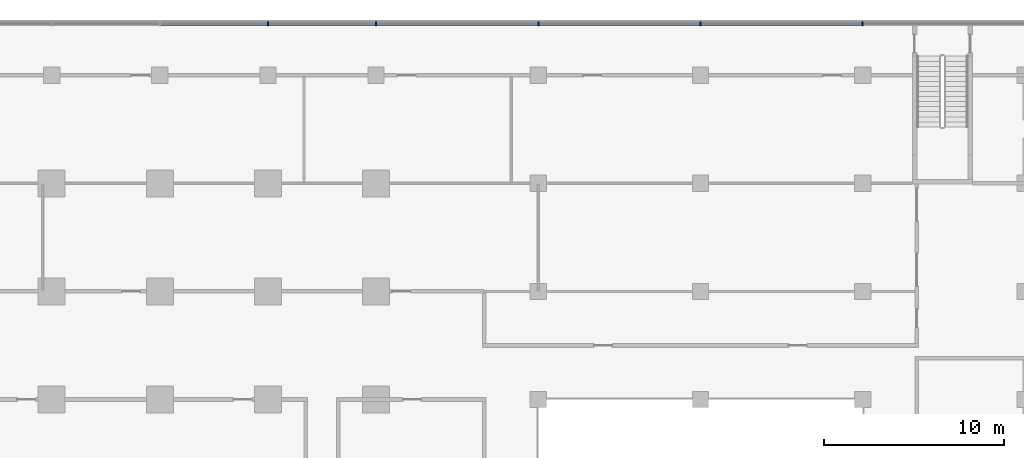
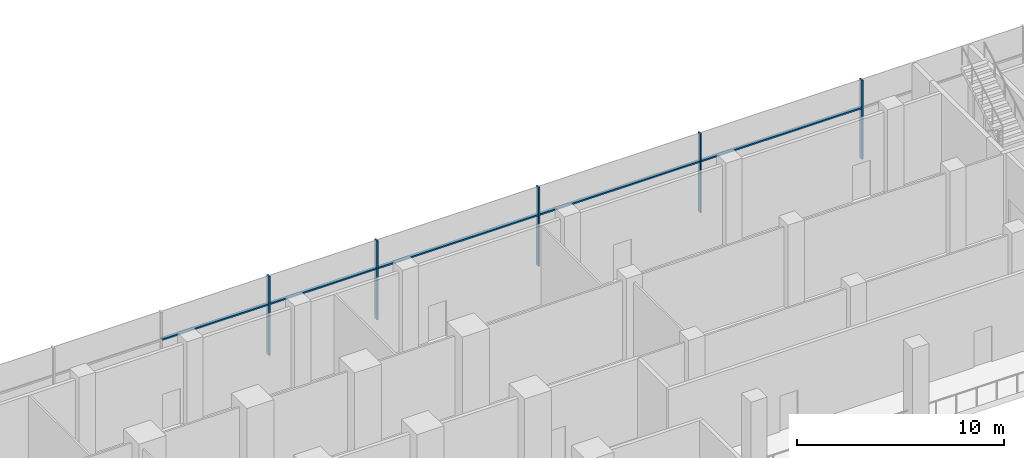
# One storey, part 8 of 22: 10 members, 1 element without a shape of its own.
"""IFC4 building model written with IfcOpenShell, lengths in metres."""

import ifcopenshell
import ifcopenshell.guid

model = None  # the IFC model being written
_history = None  # IfcOwnerHistory: only IFC2X3 demands one
_inside = {}  # id of a spatial element -> (the spatial element, [elements in it])
_under = {}  # id of a project, library or spatial element -> (it, [spatial elements below it])
_declared = {}  # id of a project -> (the project, [libraries it declares])
_typed = {}  # id of a type object -> (the type object, [elements of that type])
_made_of = {}  # id of a material, layer set ... -> (it, [elements and type objects made of it])


def new_model(schema):
    """Start an empty IFC model of exactly this schema.

    Asked for "IFC4X3", IfcOpenShell would pick the latest addendum, in which some entities
    have other attributes; the version numbers below select the first issue.
    IFC2X3 requires an IfcOwnerHistory on every rooted entity: one is made here for all.
    """
    global model, _history
    if schema == "IFC4X3":
        model = ifcopenshell.file(schema_version=(4, 3, 0, 0))
    else:
        model = ifcopenshell.file(schema=schema)
    _inside.clear()
    _under.clear()
    _declared.clear()
    _typed.clear()
    _made_of.clear()
    _history = None
    if model.schema == "IFC2X3":
        org = make("IfcOrganization", Name="unknown")
        user = make(
            "IfcPersonAndOrganization",
            ThePerson=make("IfcPerson", FamilyName="unknown"),
            TheOrganization=org,
        )
        app = make(
            "IfcApplication",
            ApplicationDeveloper=org,
            Version="unknown",
            ApplicationFullName="unknown",
            ApplicationIdentifier="unknown",
        )
        _history = make(
            "IfcOwnerHistory",
            OwningUser=user,
            OwningApplication=app,
            ChangeAction="ADDED",
            CreationDate=0,
        )
    return model


def make(cls, **values):
    """One entity of the class cls with the attributes given. An attribute that is None is left unset."""
    return model.create_entity(
        cls, **{name: value for name, value in values.items() if value is not None}
    )


def rooted(cls, **values):
    """An entity with a GlobalId (a new one), such as an element, a storey or a relation."""
    return make(cls, GlobalId=ifcopenshell.guid.new(), OwnerHistory=_history, **values)


def si_unit(unit_type, name, prefix=None):
    """IfcSIUnit, for example si_unit("LENGTHUNIT", "METRE", prefix="MILLI")."""
    return make("IfcSIUnit", UnitType=unit_type, Prefix=prefix, Name=name)


def assignment(units):
    """IfcUnitAssignment: the units of a project."""
    return None if units is None else make("IfcUnitAssignment", Units=units)


def point(xyz):
    """IfcCartesianPoint."""
    return None if xyz is None else make("IfcCartesianPoint", Coordinates=xyz)


def direction(xyz):
    """IfcDirection."""
    return None if xyz is None else make("IfcDirection", DirectionRatios=xyz)


def frame(location, z_axis=None, x_axis=None):
    """IfcAxis2Placement3D, a coordinate frame: its origin and axes. An axis left out is left unset."""
    return make(
        "IfcAxis2Placement3D",
        Location=point(location),
        Axis=direction(z_axis),
        RefDirection=direction(x_axis),
    )


def frame_2d(location, x_axis=None):
    """IfcAxis2Placement2D, a coordinate frame in the plane: its origin and x axis."""
    return make(
        "IfcAxis2Placement2D", Location=point(location), RefDirection=direction(x_axis)
    )


def origin():
    """The frame at (0, 0, 0) with its axes left unset."""
    return frame((0.0, 0.0, 0.0))


def origin_2d():
    """The frame at (0, 0) in the plane with its x axis left unset."""
    return frame_2d((0.0, 0.0))


def place(relative_to, where):
    """IfcLocalPlacement: puts the frame where relative to a parent placement (None: the world)."""
    return make(
        "IfcLocalPlacement", PlacementRelTo=relative_to, RelativePlacement=where
    )


def context(
    kind, dimensions, precision=None, world=None, true_north=None, identifier=None
):
    """IfcGeometricRepresentationContext, for example the 3D "Model" context."""
    return make(
        "IfcGeometricRepresentationContext",
        ContextIdentifier=identifier,
        ContextType=kind,
        CoordinateSpaceDimension=dimensions,
        Precision=precision,
        WorldCoordinateSystem=world,
        TrueNorth=true_north,
    )


def subcontext(parent, identifier, kind, view, scale=None):
    """IfcGeometricRepresentationSubContext, for example "Body" below "Model"."""
    return make(
        "IfcGeometricRepresentationSubContext",
        ContextIdentifier=identifier,
        ContextType=kind,
        ParentContext=parent,
        TargetScale=scale,
        TargetView=view,
    )


def project(units=None, contexts=None):
    """IfcProject with its units and contexts."""
    return rooted(
        "IfcProject",
        Name="project",
        RepresentationContexts=contexts,
        UnitsInContext=assignment(units),
    )


def spatial(cls, under=None, at=None, **own):
    """A site, building, storey or space (cls), placed at a placement, below another one or the project."""
    s = rooted(cls, ObjectPlacement=at, **own)
    if under is not None:
        _under.setdefault(under.id(), (under, []))[1].append(s)
    return s


def profile(cls, at=None, kind="AREA", **sizes):
    """A parametric profile (cls). Its sizes go by their IFC names, for example OverallWidth=200.0."""
    return make(cls, ProfileType=kind, Position=at, **sizes)


def rectangle(**sizes):
    """IfcRectangleProfileDef."""
    return profile("IfcRectangleProfileDef", **sizes)


def extrude(swept, where, along, depth):
    """IfcExtrudedAreaSolid: the profile swept, set in the frame where, extruded along a direction by depth."""
    return make(
        "IfcExtrudedAreaSolid",
        SweptArea=swept,
        Position=where,
        ExtrudedDirection=direction(along),
        Depth=depth,
    )


def shape(context_of_items, identifier, shape_type, items):
    """IfcShapeRepresentation: the items that make up one representation, for example the "Body"."""
    return make(
        "IfcShapeRepresentation",
        ContextOfItems=context_of_items,
        RepresentationIdentifier=identifier,
        RepresentationType=shape_type,
        Items=items,
    )


def material(Name=None, Category=None):
    """IfcMaterial."""
    return make("IfcMaterial", Name=Name, Category=Category)


def material_profile(
    of_material, cross_section, Name=None, Category=None, Priority=None
):
    """IfcMaterialProfile: a cross section and its material."""
    return make(
        "IfcMaterialProfile",
        Name=Name,
        Material=of_material,
        Profile=cross_section,
        Priority=Priority,
        Category=Category,
    )


def profile_set(profiles, Name=None, composite=None):
    """IfcMaterialProfileSet."""
    return make(
        "IfcMaterialProfileSet",
        Name=Name,
        MaterialProfiles=profiles,
        CompositeProfile=composite,
    )


def made_of(thing, what):
    """Note that an element or type object is made of a material, layer set ...; save() writes the relation."""
    if what is not None:
        _made_of.setdefault(what.id(), (what, []))[1].append(thing)
    return thing


def type_object(cls, material=None, **own):
    """A type object (cls), such as IfcWallType, which elements share."""
    return made_of(rooted(cls, **own), material)


def element(
    cls,
    number,
    at=None,
    inside=None,
    cuts=None,
    type_object=None,
    material=None,
    context=None,
    identifier="Body",
    shape_type=None,
    held_by="IfcProductDefinitionShape",
    body=None,
    shapes=None,
    **own,
):
    """One element of the class cls, such as IfcWall. Its Tag is "e" and its number.

    at: its placement. inside: the storey or other place that contains it. cuts: it is an
    opening in that element (IfcRelVoidsElement). A single representation is given by context,
    identifier, shape_type and body (its items); several are given by shapes. held_by: the class
    of the entity that holds the representations. save() writes the other relations.
    """
    e = rooted(cls, Tag="e%d" % number, ObjectPlacement=at, **own)
    if body is not None:
        shapes = [shape(context, identifier, shape_type, body)]
    if shapes is not None:
        e.Representation = make(held_by, Representations=shapes)
    if inside is not None:
        _inside.setdefault(inside.id(), (inside, []))[1].append(e)
    if cuts is not None:
        rooted(
            "IfcRelVoidsElement", RelatingBuildingElement=cuts, RelatedOpeningElement=e
        )
    if type_object is not None:
        _typed.setdefault(type_object.id(), (type_object, []))[1].append(e)
    return made_of(e, material)


def aggregate(whole, parts):
    """IfcRelAggregates: a whole, such as a stair, and the parts it consists of."""
    return rooted("IfcRelAggregates", RelatingObject=whole, RelatedObjects=parts)


def save(model, path):
    """Write the relations noted so far, then the file.

    IfcRelAggregates (storeys below a building ...), IfcRelContainedInSpatialStructure (elements
    in a storey), IfcRelDefinesByType, IfcRelAssociatesMaterial and IfcRelDeclares: one each for
    every whole, place, type object, material and project.
    """
    for whole, parts in _under.values():
        aggregate(whole, parts)
    for where, things in _inside.values():
        rooted(
            "IfcRelContainedInSpatialStructure",
            RelatedElements=things,
            RelatingStructure=where,
        )
    for kind, things in _typed.values():
        rooted("IfcRelDefinesByType", RelatedObjects=things, RelatingType=kind)
    for what, things in _made_of.values():
        rooted("IfcRelAssociatesMaterial", RelatedObjects=things, RelatingMaterial=what)
    for by, libraries in _declared.values():
        rooted("IfcRelDeclares", RelatingContext=by, RelatedDefinitions=libraries)
    model.write(path)


model = new_model("IFC4")

# Units and contexts
model_context = context("Model", 3, precision=1e-05, world=origin(), true_north=direction((0.0, 1.0)))
body_context = subcontext(model_context, "Body", "Model", "MODEL_VIEW")
ifc_project = project(units=[si_unit("LENGTHUNIT", "METRE"), si_unit("AREAUNIT", "SQUARE_METRE"), si_unit("VOLUMEUNIT", "CUBIC_METRE"), si_unit("PLANEANGLEUNIT", "RADIAN"), si_unit("MASSUNIT", "GRAM", prefix="KILO")], contexts=[model_context])

# Site, building, storey
site_placement = place(None, origin())
site = spatial("IfcSite", under=ifc_project, at=site_placement, CompositionType="ELEMENT")
building_placement = place(site_placement, origin())
building = spatial("IfcBuilding", under=site, at=building_placement, Name="Finial Court Residences", CompositionType="ELEMENT")
storey_placement = place(building_placement, frame((0.0, 0.0, 18.5)))
storey = spatial("IfcBuildingStorey", under=building, at=storey_placement, Name="L03", CompositionType="ELEMENT", Elevation=18.5)

# Curtain wall, members
ifc_material = material(Name="Bronze anodised aluminium", Category="aluminium")
curtain_wall_type = type_object("IfcCurtainWallType", Name="Podium curtain wall", PredefinedType="NOTDEFINED", material=ifc_material)
curtain_wall_placement = place(storey_placement, origin())
curtain_wall = element("IfcCurtainWall", 1, at=curtain_wall_placement, inside=storey, type_object=curtain_wall_type, Name="E-L03-CW-N1", PredefinedType="NOTDEFINED")
ifc_material_profile_1 = material_profile(ifc_material, rectangle(XDim=0.22509765625, YDim=0.080078125, at=origin_2d()), Name="CW5 mullion 80 x 225")
ifc_profile_set_1 = profile_set([ifc_material_profile_1], Name="Bronze anodised aluminium")
member_type_1 = type_object("IfcMemberType", Name="CW5 mullion 80 x 225", PredefinedType="MULLION", material=ifc_profile_set_1)
member_1_placement = place(storey_placement, frame((16.5, 34.35009765625, 0.0), z_axis=(0.0, 0.0, 1.0), x_axis=(0.0, 1.0, 0.0)))
member_1 = element("IfcMember", 2, at=member_1_placement, type_object=member_type_1, Name="CW5 mullion 9", PredefinedType="MULLION", context=body_context, shape_type="SweptSolid", body=[
    extrude(rectangle(XDim=0.22509765625, YDim=0.080078125, at=origin_2d()), origin(), (0.0, 0.0, 1.0), 4.64990234375),
])
member_2_placement = place(storey_placement, frame((22.5, 34.35009765625, 0.0), z_axis=(0.0, 0.0, 1.0), x_axis=(0.0, 1.0, 0.0)))
member_2 = element("IfcMember", 3, at=member_2_placement, type_object=member_type_1, Name="CW5 mullion 10", PredefinedType="MULLION", context=body_context, shape_type="SweptSolid", body=[
    extrude(rectangle(XDim=0.22509765625, YDim=0.080078125, at=origin_2d()), origin(), (0.0, 0.0, 1.0), 4.64990234375),
])
member_3_placement = place(storey_placement, frame((31.5, 34.35009765625, 0.0), z_axis=(0.0, 0.0, 1.0), x_axis=(0.0, 1.0, 0.0)))
member_3 = element("IfcMember", 4, at=member_3_placement, type_object=member_type_1, Name="CW5 mullion 11", PredefinedType="MULLION", context=body_context, shape_type="SweptSolid", body=[
    extrude(rectangle(XDim=0.22509765625, YDim=0.080078125, at=origin_2d()), origin(), (0.0, 0.0, 1.0), 4.64990234375),
])
member_4_placement = place(storey_placement, frame((40.5, 34.35009765625, 0.0), z_axis=(0.0, 0.0, 1.0), x_axis=(0.0, 1.0, 0.0)))
member_4 = element("IfcMember", 5, at=member_4_placement, type_object=member_type_1, Name="CW5 mullion 12", PredefinedType="MULLION", context=body_context, shape_type="SweptSolid", body=[
    extrude(rectangle(XDim=0.22509765625, YDim=0.080078125, at=origin_2d()), origin(), (0.0, 0.0, 1.0), 4.64990234375),
])
member_5_placement = place(storey_placement, frame((49.5, 34.35009765625, 0.0), z_axis=(0.0, 0.0, 1.0), x_axis=(0.0, 1.0, 0.0)))
member_5 = element("IfcMember", 6, at=member_5_placement, type_object=member_type_1, Name="CW5 mullion 13", PredefinedType="MULLION", context=body_context, shape_type="SweptSolid", body=[
    extrude(rectangle(XDim=0.22509765625, YDim=0.080078125, at=origin_2d()), origin(), (0.0, 0.0, 1.0), 4.64990234375),
])
ifc_material_profile_2 = material_profile(ifc_material, rectangle(XDim=0.175048828125, YDim=0.080078125, at=origin_2d()), Name="CW5 transom 80 x 175")
ifc_profile_set_2 = profile_set([ifc_material_profile_2], Name="Bronze anodised aluminium")
member_type_2 = type_object("IfcMemberType", Name="CW5 transom 80 x 175", PredefinedType="USERDEFINED", material=ifc_profile_set_2)
member_6_placement = place(storey_placement, frame((10.5400390625, 34.35009765625, 3.0), z_axis=(1.0, 0.0, 0.0), x_axis=(0.0, 1.0, 0.0)))
member_6 = element("IfcMember", 7, at=member_6_placement, type_object=member_type_2, Name="CW5 transom 8.1", ObjectType="TRANSOM", PredefinedType="USERDEFINED", context=body_context, shape_type="SweptSolid", body=[
    extrude(rectangle(XDim=0.175048828125, YDim=0.080078125, at=origin_2d()), origin(), (0.0, 0.0, 1.0), 5.919921875),
])
member_7_placement = place(storey_placement, frame((16.5400390625, 34.35009765625, 3.0), z_axis=(1.0, 0.0, 0.0), x_axis=(0.0, 1.0, 0.0)))
member_7 = element("IfcMember", 8, at=member_7_placement, type_object=member_type_2, Name="CW5 transom 9.1", ObjectType="TRANSOM", PredefinedType="USERDEFINED", context=body_context, shape_type="SweptSolid", body=[
    extrude(rectangle(XDim=0.175048828125, YDim=0.080078125, at=origin_2d()), origin(), (0.0, 0.0, 1.0), 5.919921875),
])
member_8_placement = place(storey_placement, frame((22.5400390625, 34.35009765625, 3.0), z_axis=(1.0, 0.0, 0.0), x_axis=(0.0, 1.0, 0.0)))
member_8 = element("IfcMember", 9, at=member_8_placement, type_object=member_type_2, Name="CW5 transom 10.1", ObjectType="TRANSOM", PredefinedType="USERDEFINED", context=body_context, shape_type="SweptSolid", body=[
    extrude(rectangle(XDim=0.175048828125, YDim=0.080078125, at=origin_2d()), origin(), (0.0, 0.0, 1.0), 8.919921875),
])
member_9_placement = place(storey_placement, frame((31.5400390625, 34.35009765625, 3.0), z_axis=(1.0, 0.0, 0.0), x_axis=(0.0, 1.0, 0.0)))
member_9 = element("IfcMember", 10, at=member_9_placement, type_object=member_type_2, Name="CW5 transom 11.1", ObjectType="TRANSOM", PredefinedType="USERDEFINED", context=body_context, shape_type="SweptSolid", body=[
    extrude(rectangle(XDim=0.175048828125, YDim=0.080078125, at=origin_2d()), origin(), (0.0, 0.0, 1.0), 8.919921875),
])
member_10_placement = place(storey_placement, frame((40.5400390625, 34.35009765625, 3.0), z_axis=(1.0, 0.0, 0.0), x_axis=(0.0, 1.0, 0.0)))
member_10 = element("IfcMember", 11, at=member_10_placement, type_object=member_type_2, Name="CW5 transom 12.1", ObjectType="TRANSOM", PredefinedType="USERDEFINED", context=body_context, shape_type="SweptSolid", body=[
    extrude(rectangle(XDim=0.175048828125, YDim=0.080078125, at=origin_2d()), origin(), (0.0, 0.0, 1.0), 8.919921875),
])
aggregate(curtain_wall, [member_1, member_2, member_3, member_4, member_5, member_6, member_7, member_8, member_9, member_10])

save(model, "model.ifc")
